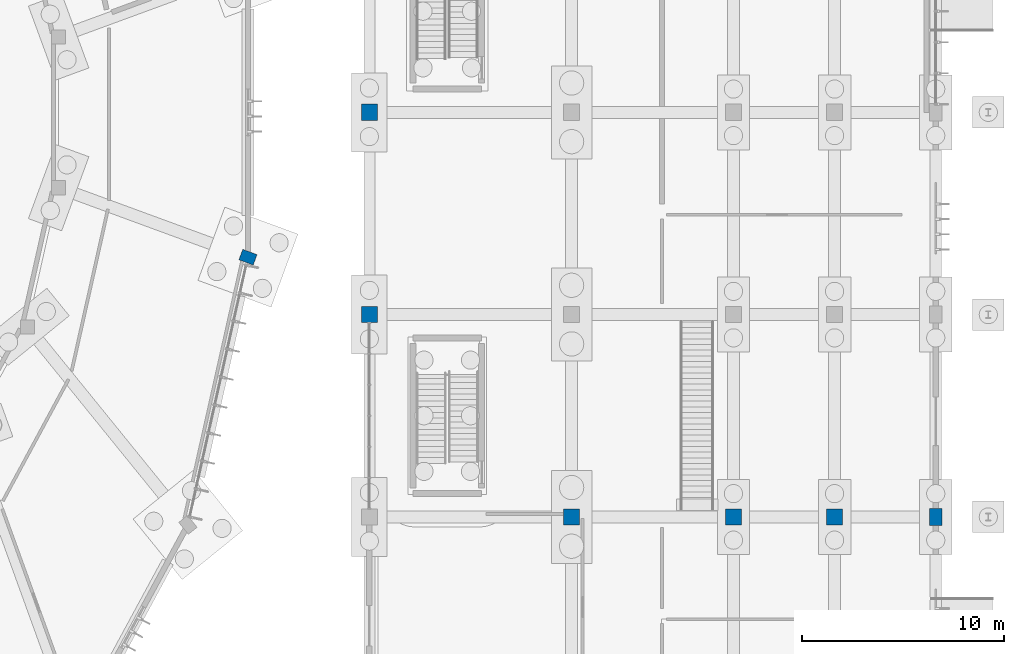
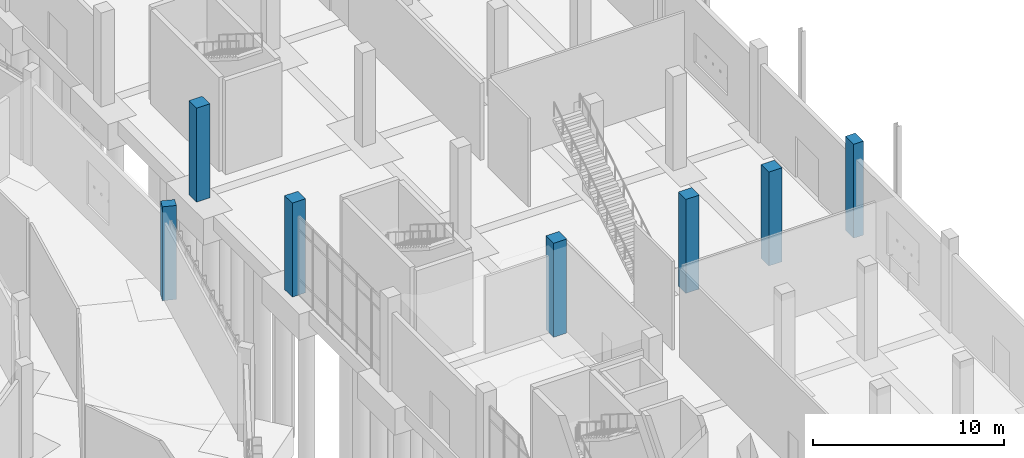
# One storey, part 24 of 140: 7 columns.
"""IFC4 building model written with IfcOpenShell, lengths in metres."""

from ifc_helpers import new_model, si_unit, direction, frame, origin, origin_2d, place, context, subcontext, project, spatial, rectangle, extrude, material, material_profile, profile_set, type_object, element, save


model = new_model("IFC4")

# Units and contexts
model_context = context("Model", 3, precision=1e-05, world=origin(), true_north=direction((0.0, 1.0)))
body_context = subcontext(model_context, "Body", "Model", "MODEL_VIEW")
ifc_project = project(units=[si_unit("LENGTHUNIT", "METRE"), si_unit("AREAUNIT", "SQUARE_METRE"), si_unit("VOLUMEUNIT", "CUBIC_METRE"), si_unit("PLANEANGLEUNIT", "RADIAN"), si_unit("MASSUNIT", "GRAM", prefix="KILO")], contexts=[model_context])

# Site, building, storey
site_placement = place(None, origin())
site = spatial("IfcSite", under=ifc_project, at=site_placement, CompositionType="ELEMENT")
building_placement = place(site_placement, origin())
building = spatial("IfcBuilding", under=site, at=building_placement, Name="Corvandel Quay Wholesale Market", CompositionType="ELEMENT")
storey_placement = place(building_placement, origin())
storey = spatial("IfcBuildingStorey", under=building, at=storey_placement, Name="L00", CompositionType="ELEMENT", Elevation=0.0)

# Columns
ifc_material = material(Name="Precast concrete C45/55", Category="concrete")
ifc_material_profile_1 = material_profile(ifc_material, rectangle(XDim=0.60009765625, YDim=0.85009765625, at=origin_2d()), Name="PC-COL-600x850")
ifc_profile_set_1 = profile_set([ifc_material_profile_1], Name="Precast concrete C45/55")
column_type_1 = type_object("IfcColumnType", Name="Colonnade Pier C08 600x850", PredefinedType="COLUMN", material=ifc_profile_set_1)
column_1_placement = place(storey_placement, frame((248.0, 40.0, 0.0), z_axis=(0.0, 0.0, 1.0), x_axis=(1.0, 0.0, 0.0)))
element("IfcColumn", 1, at=column_1_placement, inside=storey, type_object=column_type_1, Name="Column COL-0928", PredefinedType="COLUMN", context=body_context, shape_type="SweptSolid", body=[
    extrude(rectangle(XDim=0.60009765625, YDim=0.85009765625, at=origin_2d()), origin(), (0.0, 0.0, 1.0), 6.0),
])
ifc_material_profile_2 = material_profile(ifc_material, rectangle(XDim=0.550048828125, YDim=0.75, at=origin_2d()), Name="PC-COL-550x750")
ifc_profile_set_2 = profile_set([ifc_material_profile_2], Name="Precast concrete C45/55")
column_type_2 = type_object("IfcColumnType", Name="Pavilion Pier C09 550x750", PredefinedType="COLUMN", material=ifc_profile_set_2)
column_2_placement = place(storey_placement, frame((214.0, 52.839111328125, 0.0), z_axis=(0.0, 0.0, 1.0), x_axis=(0.344642923175, 0.938733857654, 0.0)))
element("IfcColumn", 2, at=column_2_placement, inside=storey, type_object=column_type_2, Name="Column COL-0573", PredefinedType="COLUMN", context=body_context, shape_type="SweptSolid", body=[
    extrude(rectangle(XDim=0.550048828125, YDim=0.75, at=origin_2d()), origin(), (0.0, 0.0, 1.0), 6.0),
])
ifc_material_profile_3 = material_profile(ifc_material, rectangle(XDim=0.800048828125, YDim=0.800048828125, at=origin_2d()), Name="PC-COL-800x800")
ifc_profile_set_3 = profile_set([ifc_material_profile_3], Name="Precast concrete C45/55")
column_type_3 = type_object("IfcColumnType", Name="Precast Column C02 800x800", PredefinedType="COLUMN", material=ifc_profile_set_3)
for number, where, z_axis, x_axis, name in (
    (3, (220.0, 50.0, 0.0), (0.0, 0.0, 1.0), (1.0, 0.0, 0.0), "Column COL-0787"),
    (4, (220.0, 60.0, 0.0), (0.0, 0.0, 1.0), (1.0, 0.0, 0.0), "Column COL-0791"),
    (5, (230.0, 40.0, 0.0), (0.0, 0.0, 1.0), (1.0, 0.0, 0.0), "Column COL-0823"),
    (6, (238.0, 40.0, 0.0), (0.0, 0.0, 1.0), (1.0, 0.0, 0.0), "Column COL-0863"),
    (7, (243.0, 40.0, 0.0), (0.0, 0.0, 1.0), (1.0, 0.0, 0.0), "Column COL-0900"),
):
    element("IfcColumn", number, at=place(storey_placement, frame(where, z_axis=z_axis, x_axis=x_axis)), inside=storey, type_object=column_type_3, Name=name, PredefinedType="COLUMN", context=body_context, shape_type="SweptSolid", body=[
        extrude(rectangle(XDim=0.800048828125, YDim=0.800048828125, at=origin_2d()), origin(), (0.0, 0.0, 1.0), 6.0),
    ])

save(model, "model.ifc")
